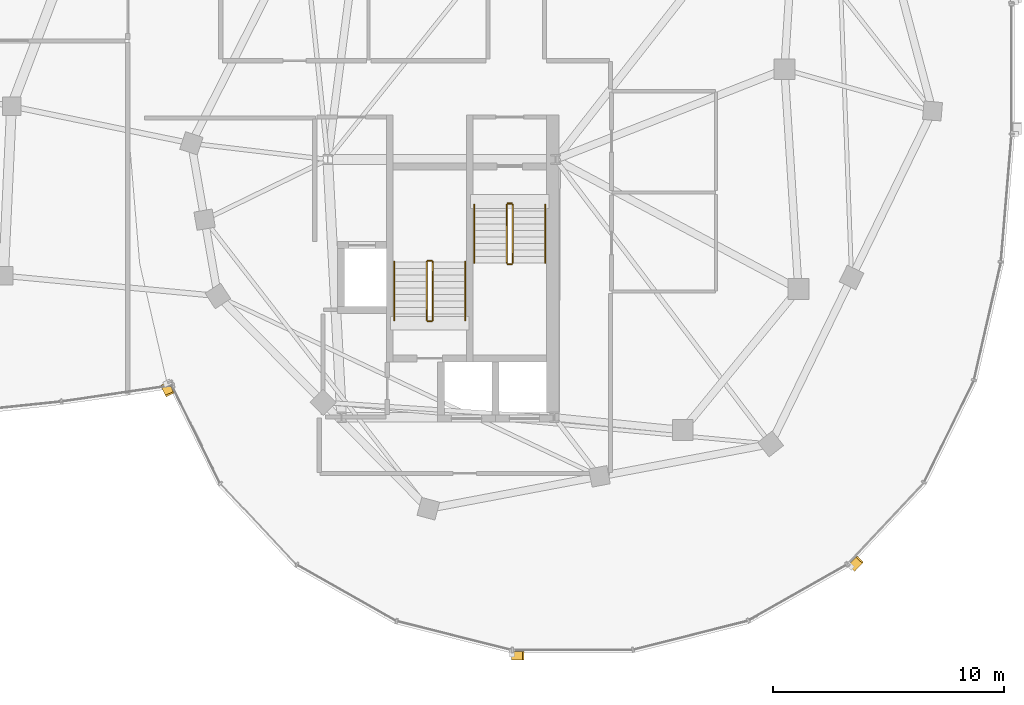
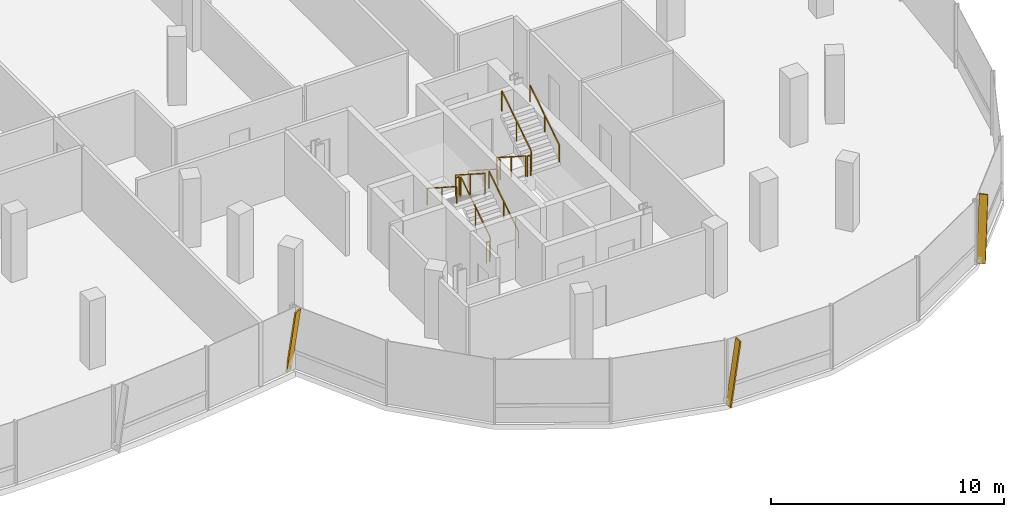
# One storey, part 23 of 24: 12 railings, 3 shading devices.
"""IFC4 building model written with IfcOpenShell, lengths in metres."""

from ifc_helpers import new_model, si_unit, direction, frame, origin, origin_2d, place, context, subcontext, project, spatial, rectangle, extrude, material, material_profile, profile_set, type_object, element, save


model = new_model("IFC4")

# Units and contexts
model_context = context("Model", 3, precision=1e-05, world=origin(), true_north=direction((0.0, 1.0)))
body_context = subcontext(model_context, "Body", "Model", "MODEL_VIEW")
ifc_project = project(units=[si_unit("LENGTHUNIT", "METRE"), si_unit("AREAUNIT", "SQUARE_METRE"), si_unit("VOLUMEUNIT", "CUBIC_METRE"), si_unit("PLANEANGLEUNIT", "RADIAN"), si_unit("MASSUNIT", "GRAM", prefix="KILO"), si_unit("THERMODYNAMICTEMPERATUREUNIT", "KELVIN"), si_unit("POWERUNIT", "WATT")], contexts=[model_context])

# Site, building, storey
site_placement = place(None, origin())
site = spatial("IfcSite", under=ifc_project, at=site_placement, CompositionType="ELEMENT")
building_placement = place(site_placement, origin())
building = spatial("IfcBuilding", under=site, at=building_placement, Name="Cundina Bronze Exchange", CompositionType="ELEMENT")
storey_placement = place(building_placement, frame((0.0, 0.0, 268.39990234375)))
storey = spatial("IfcBuildingStorey", under=building, at=storey_placement, Name="L71", CompositionType="ELEMENT", Elevation=268.39990234375)

# Railings
ifc_material_1 = material(Name="Steel ASTM A36 Painted", Category="steel")
railing_type_1 = type_object("IfcRailingType", Name="RLG-HND-900", PredefinedType="HANDRAIL", material=ifc_material_1)
railing_1_placement = place(storey_placement, frame((27.7900390625, -5.85009765625, 0.18017578125)))
element("IfcRailing", 1, at=railing_1_placement, inside=storey, type_object=railing_type_1, Name="L71 ST-E1 stair handrail 1", PredefinedType="HANDRAIL", context=body_context, shape_type="SweptSolid", body=[
    extrude(rectangle(XDim=0.048095703125, YDim=0.048095703125, at=origin_2d()), frame((0.0, 0.0, 0.8759765625), z_axis=(0.0, -0.841199657755, 0.540724639528), x_axis=(1.0, 0.0, 0.0)), (0.0, 0.0, 1.0), 2.995849609375),
    extrude(rectangle(XDim=0.0419921875, YDim=0.0419921875, at=origin_2d()), origin(), (0.0, 0.0, 1.0), 0.851806640625),
    extrude(rectangle(XDim=0.0419921875, YDim=0.0419921875, at=origin_2d()), frame((0.0, -1.260009765625, 0.81005859375)), (0.0, 0.0, 1.0), 0.851806640625),
    extrude(rectangle(XDim=0.0419921875, YDim=0.0419921875, at=origin_2d()), frame((0.0, -2.52001953125, 1.619873046875)), (0.0, 0.0, 1.0), 0.851806640625),
])
railing_2_placement = place(storey_placement, frame((30.85009765625, -8.3701171875, 1.97998046875)))
element("IfcRailing", 2, at=railing_2_placement, inside=storey, type_object=railing_type_1, Name="L71 ST-E1 stair handrail 2", PredefinedType="HANDRAIL", context=body_context, shape_type="SweptSolid", body=[
    extrude(rectangle(XDim=0.048095703125, YDim=0.048095703125, at=origin_2d()), frame((0.0, 0.0, 0.8759765625), z_axis=(0.0, 0.841162588446, 0.540782303519), x_axis=(-1.0, 0.0, 0.0)), (0.0, 0.0, 1.0), 2.995849609375),
    extrude(rectangle(XDim=0.0419921875, YDim=0.0419921875, at=origin_2d()), origin(), (0.0, 0.0, 1.0), 0.851806640625),
    extrude(rectangle(XDim=0.0419921875, YDim=0.0419921875, at=origin_2d()), frame((0.0, 1.260009765625, 0.81005859375)), (0.0, 0.0, 1.0), 0.851806640625),
    extrude(rectangle(XDim=0.0419921875, YDim=0.0419921875, at=origin_2d()), frame((0.0, 2.52001953125, 1.6201171875)), (0.0, 0.0, 1.0), 0.851806640625),
])
railing_3_placement = place(storey_placement, frame((27.389892578125, -10.85009765625, 0.18017578125)))
element("IfcRailing", 3, at=railing_3_placement, inside=storey, type_object=railing_type_1, Name="L71 ST-E2 stair handrail 1", PredefinedType="HANDRAIL", context=body_context, shape_type="SweptSolid", body=[
    extrude(rectangle(XDim=0.048095703125, YDim=0.048095703125, at=origin_2d()), frame((0.0, 0.0, 0.8759765625), z_axis=(0.0, 0.841199657755, 0.540724639528), x_axis=(-1.0, 0.0, 0.0)), (0.0, 0.0, 1.0), 2.995849609375),
    extrude(rectangle(XDim=0.0419921875, YDim=0.0419921875, at=origin_2d()), origin(), (0.0, 0.0, 1.0), 0.851806640625),
    extrude(rectangle(XDim=0.0419921875, YDim=0.0419921875, at=origin_2d()), frame((0.0, 1.260009765625, 0.81005859375)), (0.0, 0.0, 1.0), 0.851806640625),
    extrude(rectangle(XDim=0.0419921875, YDim=0.0419921875, at=origin_2d()), frame((0.0, 2.52001953125, 1.619873046875)), (0.0, 0.0, 1.0), 0.851806640625),
])
railing_4_placement = place(storey_placement, frame((24.330078125, -8.330078125, 1.97998046875)))
element("IfcRailing", 4, at=railing_4_placement, inside=storey, type_object=railing_type_1, Name="L71 ST-E2 stair handrail 2", PredefinedType="HANDRAIL", context=body_context, shape_type="SweptSolid", body=[
    extrude(rectangle(XDim=0.048095703125, YDim=0.048095703125, at=origin_2d()), frame((0.0, 0.0, 0.8759765625), z_axis=(0.0, -0.841162588446, 0.540782303519), x_axis=(1.0, 0.0, 0.0)), (0.0, 0.0, 1.0), 2.995849609375),
    extrude(rectangle(XDim=0.0419921875, YDim=0.0419921875, at=origin_2d()), origin(), (0.0, 0.0, 1.0), 0.851806640625),
    extrude(rectangle(XDim=0.0419921875, YDim=0.0419921875, at=origin_2d()), frame((0.0, -1.260009765625, 0.81005859375)), (0.0, 0.0, 1.0), 0.851806640625),
    extrude(rectangle(XDim=0.0419921875, YDim=0.0419921875, at=origin_2d()), frame((0.0, -2.52001953125, 1.6201171875)), (0.0, 0.0, 1.0), 0.851806640625),
])
railing_type_2 = type_object("IfcRailingType", Name="RLG-STG-1100", PredefinedType="GUARDRAIL", material=ifc_material_1)
railing_5_placement = place(storey_placement, frame((29.18994140625, -5.85009765625, 0.18017578125)))
element("IfcRailing", 5, at=railing_5_placement, inside=storey, type_object=railing_type_2, Name="L71 ST-E1 stair guard 1", PredefinedType="GUARDRAIL", context=body_context, shape_type="SweptSolid", body=[
    extrude(rectangle(XDim=0.048095703125, YDim=0.048095703125, at=origin_2d()), frame((0.0, 0.0, 1.076171875), z_axis=(0.0, -0.841199657755, 0.540724639528), x_axis=(1.0, 0.0, 0.0)), (0.0, 0.0, 1.0), 2.995849609375),
    extrude(rectangle(XDim=0.0419921875, YDim=0.0419921875, at=origin_2d()), origin(), (0.0, 0.0, 1.0), 1.052001953125),
    extrude(rectangle(XDim=0.0419921875, YDim=0.0419921875, at=origin_2d()), frame((0.0, -1.260009765625, 0.81005859375)), (0.0, 0.0, 1.0), 1.052001953125),
    extrude(rectangle(XDim=0.0419921875, YDim=0.0419921875, at=origin_2d()), frame((0.0, -2.52001953125, 1.619873046875)), (0.0, 0.0, 1.0), 1.052001953125),
])
railing_6_placement = place(storey_placement, frame((29.239990234375, -8.419921875, 1.800048828125)))
element("IfcRailing", 6, at=railing_6_placement, inside=storey, type_object=railing_type_2, Name="L71 ST-E1 stair guard 2", PredefinedType="GUARDRAIL", context=body_context, shape_type="SweptSolid", body=[
    extrude(rectangle(XDim=0.048095703125, YDim=0.048095703125, at=origin_2d()), frame((0.0, 0.0, 1.076171875), z_axis=(1.0, 0.0, 0.0), x_axis=(0.0, 1.0, 0.0)), (0.0, 0.0, 1.0), 0.159912109375),
    extrude(rectangle(XDim=0.0419921875, YDim=0.0419921875, at=origin_2d()), origin(), (0.0, 0.0, 1.0), 1.052001953125),
    extrude(rectangle(XDim=0.0419921875, YDim=0.0419921875, at=origin_2d()), frame((0.159912109375, 0.0, 0.0)), (0.0, 0.0, 1.0), 1.052001953125),
])
railing_7_placement = place(storey_placement, frame((29.449951171875, -8.3701171875, 1.97998046875)))
element("IfcRailing", 7, at=railing_7_placement, inside=storey, type_object=railing_type_2, Name="L71 ST-E1 stair guard 3", PredefinedType="GUARDRAIL", context=body_context, shape_type="SweptSolid", body=[
    extrude(rectangle(XDim=0.048095703125, YDim=0.048095703125, at=origin_2d()), frame((0.0, 0.0, 1.076171875), z_axis=(0.0, 0.841162588446, 0.540782303519), x_axis=(-1.0, 0.0, 0.0)), (0.0, 0.0, 1.0), 2.995849609375),
    extrude(rectangle(XDim=0.0419921875, YDim=0.0419921875, at=origin_2d()), origin(), (0.0, 0.0, 1.0), 1.052001953125),
    extrude(rectangle(XDim=0.0419921875, YDim=0.0419921875, at=origin_2d()), frame((0.0, 1.260009765625, 0.81005859375)), (0.0, 0.0, 1.0), 1.052001953125),
    extrude(rectangle(XDim=0.0419921875, YDim=0.0419921875, at=origin_2d()), frame((0.0, 2.52001953125, 1.6201171875)), (0.0, 0.0, 1.0), 1.052001953125),
])
railing_8_placement = place(storey_placement, frame((29.239990234375, -5.800048828125, 0.0)))
element("IfcRailing", 8, at=railing_8_placement, inside=storey, type_object=railing_type_2, Name="L71 ST-E1 stair guard 4", PredefinedType="GUARDRAIL", context=body_context, shape_type="SweptSolid", body=[
    extrude(rectangle(XDim=0.048095703125, YDim=0.048095703125, at=origin_2d()), frame((0.0, 0.0, 1.076171875), z_axis=(1.0, 0.0, 0.0), x_axis=(0.0, 1.0, 0.0)), (0.0, 0.0, 1.0), 0.159912109375),
    extrude(rectangle(XDim=0.0419921875, YDim=0.0419921875, at=origin_2d()), origin(), (0.0, 0.0, 1.0), 1.052001953125),
    extrude(rectangle(XDim=0.0419921875, YDim=0.0419921875, at=origin_2d()), frame((0.159912109375, 0.0, 0.0)), (0.0, 0.0, 1.0), 1.052001953125),
])
railing_9_placement = place(storey_placement, frame((25.989990234375, -10.85009765625, 0.18017578125)))
element("IfcRailing", 9, at=railing_9_placement, inside=storey, type_object=railing_type_2, Name="L71 ST-E2 stair guard 1", PredefinedType="GUARDRAIL", context=body_context, shape_type="SweptSolid", body=[
    extrude(rectangle(XDim=0.048095703125, YDim=0.048095703125, at=origin_2d()), frame((0.0, 0.0, 1.076171875), z_axis=(0.0, 0.841199657755, 0.540724639528), x_axis=(-1.0, 0.0, 0.0)), (0.0, 0.0, 1.0), 2.995849609375),
    extrude(rectangle(XDim=0.0419921875, YDim=0.0419921875, at=origin_2d()), origin(), (0.0, 0.0, 1.0), 1.052001953125),
    extrude(rectangle(XDim=0.0419921875, YDim=0.0419921875, at=origin_2d()), frame((0.0, 1.260009765625, 0.81005859375)), (0.0, 0.0, 1.0), 1.052001953125),
    extrude(rectangle(XDim=0.0419921875, YDim=0.0419921875, at=origin_2d()), frame((0.0, 2.52001953125, 1.619873046875)), (0.0, 0.0, 1.0), 1.052001953125),
])
railing_10_placement = place(storey_placement, frame((25.93994140625, -8.280029296875, 1.800048828125)))
element("IfcRailing", 10, at=railing_10_placement, inside=storey, type_object=railing_type_2, Name="L71 ST-E2 stair guard 2", PredefinedType="GUARDRAIL", context=body_context, shape_type="SweptSolid", body=[
    extrude(rectangle(XDim=0.048095703125, YDim=0.048095703125, at=origin_2d()), frame((0.0, 0.0, 1.076171875), z_axis=(-1.0, 0.0, 0.0), x_axis=(0.0, -1.0, 0.0)), (0.0, 0.0, 1.0), 0.159912109375),
    extrude(rectangle(XDim=0.0419921875, YDim=0.0419921875, at=origin_2d()), origin(), (0.0, 0.0, 1.0), 1.052001953125),
    extrude(rectangle(XDim=0.0419921875, YDim=0.0419921875, at=origin_2d()), frame((-0.159912109375, 0.0, 0.0)), (0.0, 0.0, 1.0), 1.052001953125),
])
railing_11_placement = place(storey_placement, frame((25.72998046875, -8.330078125, 1.97998046875)))
element("IfcRailing", 11, at=railing_11_placement, inside=storey, type_object=railing_type_2, Name="L71 ST-E2 stair guard 3", PredefinedType="GUARDRAIL", context=body_context, shape_type="SweptSolid", body=[
    extrude(rectangle(XDim=0.048095703125, YDim=0.048095703125, at=origin_2d()), frame((0.0, 0.0, 1.076171875), z_axis=(0.0, -0.841162588446, 0.540782303519), x_axis=(1.0, 0.0, 0.0)), (0.0, 0.0, 1.0), 2.995849609375),
    extrude(rectangle(XDim=0.0419921875, YDim=0.0419921875, at=origin_2d()), origin(), (0.0, 0.0, 1.0), 1.052001953125),
    extrude(rectangle(XDim=0.0419921875, YDim=0.0419921875, at=origin_2d()), frame((0.0, -1.260009765625, 0.81005859375)), (0.0, 0.0, 1.0), 1.052001953125),
    extrude(rectangle(XDim=0.0419921875, YDim=0.0419921875, at=origin_2d()), frame((0.0, -2.52001953125, 1.6201171875)), (0.0, 0.0, 1.0), 1.052001953125),
])
railing_12_placement = place(storey_placement, frame((25.93994140625, -10.89990234375, 0.0)))
element("IfcRailing", 12, at=railing_12_placement, inside=storey, type_object=railing_type_2, Name="L71 ST-E2 stair guard 4", PredefinedType="GUARDRAIL", context=body_context, shape_type="SweptSolid", body=[
    extrude(rectangle(XDim=0.048095703125, YDim=0.048095703125, at=origin_2d()), frame((0.0, 0.0, 1.076171875), z_axis=(-1.0, 0.0, 0.0), x_axis=(0.0, -1.0, 0.0)), (0.0, 0.0, 1.0), 0.159912109375),
    extrude(rectangle(XDim=0.0419921875, YDim=0.0419921875, at=origin_2d()), origin(), (0.0, 0.0, 1.0), 1.052001953125),
    extrude(rectangle(XDim=0.0419921875, YDim=0.0419921875, at=origin_2d()), frame((-0.159912109375, 0.0, 0.0)), (0.0, 0.0, 1.0), 1.052001953125),
])

# Shading devices
ifc_material_2 = material(Name="Anodised Bronze Aluminium 6063-T6", Category="aluminium")
ifc_material_profile = material_profile(ifc_material_2, rectangle(XDim=0.070068359375, YDim=0.3798828125, at=origin_2d()), Name="FIN70X380", Category="aluminium")
ifc_profile_set = profile_set([ifc_material_profile], Name="Anodised Bronze Aluminium 6063-T6")
shading_device_type = type_object("IfcShadingDeviceType", Name="SHD-FIN-BRZ380", PredefinedType="USERDEFINED", material=ifc_profile_set)
for number, where, z_axis, x_axis, name in (
    (13, (14.406494140625, -13.614013671875, 0.02001953125), (0.063400368732, -0.129216686851, 0.989587510574), (-0.435900311632, 0.888411143223, 0.143932480407), "L71 Diagonal Bronze Solar Fin 1"),
    (14, (29.423583984375, -25.360107421875, 0.02001953125), (0.143932024572, 0.0, 0.989587576874), (-0.989587576874, 0.0, 0.143932024572), "L71 Diagonal Bronze Solar Fin 5"),
    (15, (44.122314453125, -21.55078125, 0.02001953125), (0.098541444371, 0.10491076507, 0.989587446926), (-0.677505727677, -0.721296959704, 0.143932918008), "L71 Diagonal Bronze Solar Fin 1"),
):
    element("IfcShadingDevice", number, at=place(storey_placement, frame(where, z_axis=z_axis, x_axis=x_axis)), inside=storey, type_object=shading_device_type, Name=name, ObjectType="FIN", PredefinedType="USERDEFINED", context=body_context, shape_type="SweptSolid", body=[
        extrude(rectangle(XDim=0.070068359375, YDim=0.3798828125, at=origin_2d()), origin(), (0.0, 0.0, 1.0), 3.334716796875),
    ])

save(model, "model.ifc")
